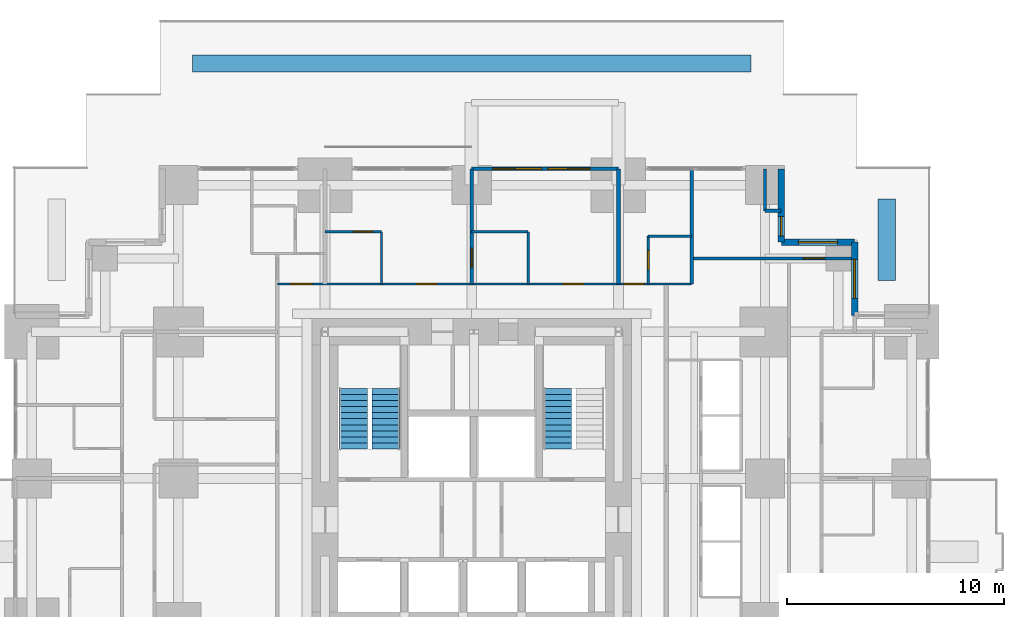
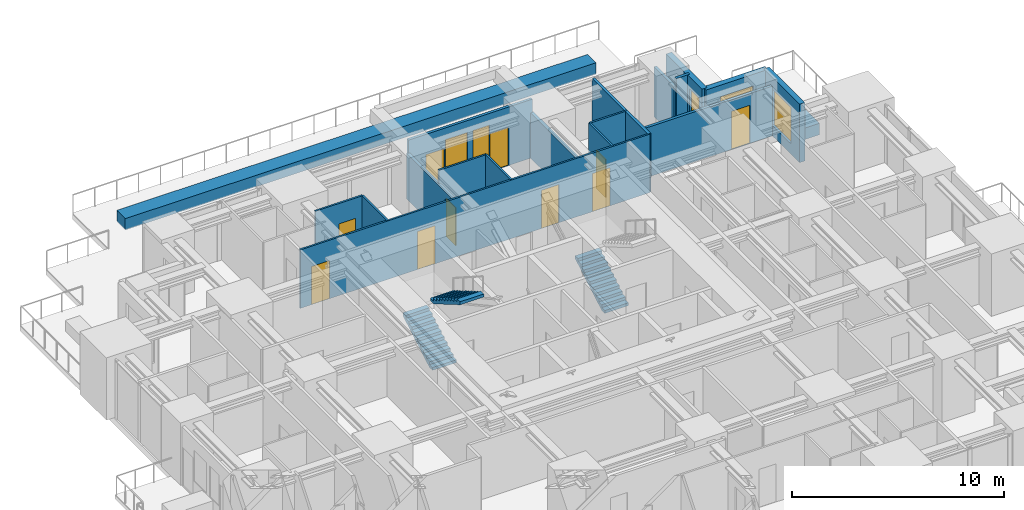
# One storey, part 10 of 12: 19 walls, 10 doors, 5 windows, 3 stair flights, 15 openings, 2 elements without a shape of their own.
"""IFC4 building model written with IfcOpenShell, lengths in metres."""

import ifcopenshell
import ifcopenshell.guid

model = None  # the IFC model being written
_history = None  # IfcOwnerHistory: only IFC2X3 demands one
_inside = {}  # id of a spatial element -> (the spatial element, [elements in it])
_under = {}  # id of a project, library or spatial element -> (it, [spatial elements below it])
_declared = {}  # id of a project -> (the project, [libraries it declares])
_typed = {}  # id of a type object -> (the type object, [elements of that type])
_made_of = {}  # id of a material, layer set ... -> (it, [elements and type objects made of it])


def new_model(schema):
    """Start an empty IFC model of exactly this schema.

    Asked for "IFC4X3", IfcOpenShell would pick the latest addendum, in which some entities
    have other attributes; the version numbers below select the first issue.
    IFC2X3 requires an IfcOwnerHistory on every rooted entity: one is made here for all.
    """
    global model, _history
    if schema == "IFC4X3":
        model = ifcopenshell.file(schema_version=(4, 3, 0, 0))
    else:
        model = ifcopenshell.file(schema=schema)
    _inside.clear()
    _under.clear()
    _declared.clear()
    _typed.clear()
    _made_of.clear()
    _history = None
    if model.schema == "IFC2X3":
        org = make("IfcOrganization", Name="unknown")
        user = make(
            "IfcPersonAndOrganization",
            ThePerson=make("IfcPerson", FamilyName="unknown"),
            TheOrganization=org,
        )
        app = make(
            "IfcApplication",
            ApplicationDeveloper=org,
            Version="unknown",
            ApplicationFullName="unknown",
            ApplicationIdentifier="unknown",
        )
        _history = make(
            "IfcOwnerHistory",
            OwningUser=user,
            OwningApplication=app,
            ChangeAction="ADDED",
            CreationDate=0,
        )
    return model


def make(cls, **values):
    """One entity of the class cls with the attributes given. An attribute that is None is left unset."""
    return model.create_entity(
        cls, **{name: value for name, value in values.items() if value is not None}
    )


def rooted(cls, **values):
    """An entity with a GlobalId (a new one), such as an element, a storey or a relation."""
    return make(cls, GlobalId=ifcopenshell.guid.new(), OwnerHistory=_history, **values)


def si_unit(unit_type, name, prefix=None):
    """IfcSIUnit, for example si_unit("LENGTHUNIT", "METRE", prefix="MILLI")."""
    return make("IfcSIUnit", UnitType=unit_type, Prefix=prefix, Name=name)


def assignment(units):
    """IfcUnitAssignment: the units of a project."""
    return None if units is None else make("IfcUnitAssignment", Units=units)


def point(xyz):
    """IfcCartesianPoint."""
    return None if xyz is None else make("IfcCartesianPoint", Coordinates=xyz)


def direction(xyz):
    """IfcDirection."""
    return None if xyz is None else make("IfcDirection", DirectionRatios=xyz)


def frame(location, z_axis=None, x_axis=None):
    """IfcAxis2Placement3D, a coordinate frame: its origin and axes. An axis left out is left unset."""
    return make(
        "IfcAxis2Placement3D",
        Location=point(location),
        Axis=direction(z_axis),
        RefDirection=direction(x_axis),
    )


def frame_2d(location, x_axis=None):
    """IfcAxis2Placement2D, a coordinate frame in the plane: its origin and x axis."""
    return make(
        "IfcAxis2Placement2D", Location=point(location), RefDirection=direction(x_axis)
    )


def origin():
    """The frame at (0, 0, 0) with its axes left unset."""
    return frame((0.0, 0.0, 0.0))


def place(relative_to, where):
    """IfcLocalPlacement: puts the frame where relative to a parent placement (None: the world)."""
    return make(
        "IfcLocalPlacement", PlacementRelTo=relative_to, RelativePlacement=where
    )


def context(
    kind, dimensions, precision=None, world=None, true_north=None, identifier=None
):
    """IfcGeometricRepresentationContext, for example the 3D "Model" context."""
    return make(
        "IfcGeometricRepresentationContext",
        ContextIdentifier=identifier,
        ContextType=kind,
        CoordinateSpaceDimension=dimensions,
        Precision=precision,
        WorldCoordinateSystem=world,
        TrueNorth=true_north,
    )


def subcontext(parent, identifier, kind, view, scale=None):
    """IfcGeometricRepresentationSubContext, for example "Body" below "Model"."""
    return make(
        "IfcGeometricRepresentationSubContext",
        ContextIdentifier=identifier,
        ContextType=kind,
        ParentContext=parent,
        TargetScale=scale,
        TargetView=view,
    )


def project(units=None, contexts=None):
    """IfcProject with its units and contexts."""
    return rooted(
        "IfcProject",
        Name="project",
        RepresentationContexts=contexts,
        UnitsInContext=assignment(units),
    )


def spatial(cls, under=None, at=None, **own):
    """A site, building, storey or space (cls), placed at a placement, below another one or the project."""
    s = rooted(cls, ObjectPlacement=at, **own)
    if under is not None:
        _under.setdefault(under.id(), (under, []))[1].append(s)
    return s


def polyline(points):
    """IfcPolyline through the points."""
    return make("IfcPolyline", Points=[point(p) for p in points])


def profile(cls, at=None, kind="AREA", **sizes):
    """A parametric profile (cls). Its sizes go by their IFC names, for example OverallWidth=200.0."""
    return make(cls, ProfileType=kind, Position=at, **sizes)


def rectangle(**sizes):
    """IfcRectangleProfileDef."""
    return profile("IfcRectangleProfileDef", **sizes)


def outline(outer, holes=None, kind="AREA"):
    """IfcArbitraryClosedProfileDef: a profile drawn as a closed curve; with holes, ...WithVoids."""
    if holes is None:
        return make("IfcArbitraryClosedProfileDef", ProfileType=kind, OuterCurve=outer)
    return make(
        "IfcArbitraryProfileDefWithVoids",
        ProfileType=kind,
        OuterCurve=outer,
        InnerCurves=holes,
    )


def extrude(swept, where, along, depth):
    """IfcExtrudedAreaSolid: the profile swept, set in the frame where, extruded along a direction by depth."""
    return make(
        "IfcExtrudedAreaSolid",
        SweptArea=swept,
        Position=where,
        ExtrudedDirection=direction(along),
        Depth=depth,
    )


def shape(context_of_items, identifier, shape_type, items):
    """IfcShapeRepresentation: the items that make up one representation, for example the "Body"."""
    return make(
        "IfcShapeRepresentation",
        ContextOfItems=context_of_items,
        RepresentationIdentifier=identifier,
        RepresentationType=shape_type,
        Items=items,
    )


def material(Name=None, Category=None):
    """IfcMaterial."""
    return make("IfcMaterial", Name=Name, Category=Category)


def layer(
    of_material, thickness, ventilated=None, Name=None, Category=None, Priority=None
):
    """IfcMaterialLayer: one layer of a wall or slab, of a material (None: an air gap)."""
    return make(
        "IfcMaterialLayer",
        Material=of_material,
        LayerThickness=thickness,
        IsVentilated=ventilated,
        Name=Name,
        Category=Category,
        Priority=Priority,
    )


def layer_set(layers, Name=None):
    """IfcMaterialLayerSet."""
    return make("IfcMaterialLayerSet", MaterialLayers=layers, LayerSetName=Name)


def made_of(thing, what):
    """Note that an element or type object is made of a material, layer set ...; save() writes the relation."""
    if what is not None:
        _made_of.setdefault(what.id(), (what, []))[1].append(thing)
    return thing


def type_object(cls, material=None, **own):
    """A type object (cls), such as IfcWallType, which elements share."""
    return made_of(rooted(cls, **own), material)


def element(
    cls,
    number,
    at=None,
    inside=None,
    cuts=None,
    type_object=None,
    material=None,
    context=None,
    identifier="Body",
    shape_type=None,
    held_by="IfcProductDefinitionShape",
    body=None,
    shapes=None,
    **own,
):
    """One element of the class cls, such as IfcWall. Its Tag is "e" and its number.

    at: its placement. inside: the storey or other place that contains it. cuts: it is an
    opening in that element (IfcRelVoidsElement). A single representation is given by context,
    identifier, shape_type and body (its items); several are given by shapes. held_by: the class
    of the entity that holds the representations. save() writes the other relations.
    """
    e = rooted(cls, Tag="e%d" % number, ObjectPlacement=at, **own)
    if body is not None:
        shapes = [shape(context, identifier, shape_type, body)]
    if shapes is not None:
        e.Representation = make(held_by, Representations=shapes)
    if inside is not None:
        _inside.setdefault(inside.id(), (inside, []))[1].append(e)
    if cuts is not None:
        rooted(
            "IfcRelVoidsElement", RelatingBuildingElement=cuts, RelatedOpeningElement=e
        )
    if type_object is not None:
        _typed.setdefault(type_object.id(), (type_object, []))[1].append(e)
    return made_of(e, material)


def fill(opening, filler):
    """IfcRelFillsElement: the door or window that sits in an opening."""
    return rooted(
        "IfcRelFillsElement",
        RelatingOpeningElement=opening,
        RelatedBuildingElement=filler,
    )


def aggregate(whole, parts):
    """IfcRelAggregates: a whole, such as a stair, and the parts it consists of."""
    return rooted("IfcRelAggregates", RelatingObject=whole, RelatedObjects=parts)


def save(model, path):
    """Write the relations noted so far, then the file.

    IfcRelAggregates (storeys below a building ...), IfcRelContainedInSpatialStructure (elements
    in a storey), IfcRelDefinesByType, IfcRelAssociatesMaterial and IfcRelDeclares: one each for
    every whole, place, type object, material and project.
    """
    for whole, parts in _under.values():
        aggregate(whole, parts)
    for where, things in _inside.values():
        rooted(
            "IfcRelContainedInSpatialStructure",
            RelatedElements=things,
            RelatingStructure=where,
        )
    for kind, things in _typed.values():
        rooted("IfcRelDefinesByType", RelatedObjects=things, RelatingType=kind)
    for what, things in _made_of.values():
        rooted("IfcRelAssociatesMaterial", RelatedObjects=things, RelatingMaterial=what)
    for by, libraries in _declared.values():
        rooted("IfcRelDeclares", RelatingContext=by, RelatedDefinitions=libraries)
    model.write(path)


model = new_model("IFC4")

# Units and contexts
model_context = context("Model", 3, precision=1e-05, world=origin(), true_north=direction((0.0, 1.0)))
body_context = subcontext(model_context, "Body", "Model", "MODEL_VIEW")
ifc_project = project(units=[si_unit("LENGTHUNIT", "METRE"), si_unit("AREAUNIT", "SQUARE_METRE"), si_unit("VOLUMEUNIT", "CUBIC_METRE"), si_unit("PLANEANGLEUNIT", "RADIAN"), si_unit("MASSUNIT", "GRAM", prefix="KILO")], contexts=[model_context])

# Site, building, storey
site_placement = place(None, origin())
site = spatial("IfcSite", under=ifc_project, at=site_placement, CompositionType="ELEMENT")
building_placement = place(site_placement, origin())
building = spatial("IfcBuilding", under=site, at=building_placement, Name="Nyansa Garden Tower", CompositionType="ELEMENT")
storey_placement = place(building_placement, frame((0.0, 0.0, 80.10009765625)))
storey = spatial("IfcBuildingStorey", under=building, at=storey_placement, Name="L21", CompositionType="ELEMENT", Elevation=80.10009765625)

# Wall, opening, door
ifc_material_1 = material(Name="Dense blockwork, plastered both sides, 55 dB", Category="masonry")
ifc_layer_1 = layer(ifc_material_1, 0.175048828125)
ifc_layer_set_1 = layer_set([ifc_layer_1], Name="Acoustic party wall PW175")
wall_type_1 = type_object("IfcWallType", Name="Acoustic party wall PW175", PredefinedType="PARTITIONING", material=ifc_layer_set_1)
wall_1_placement = place(storey_placement, frame((20.25, 29.199951171875, 0.0), z_axis=(0.0, 0.0, 1.0), x_axis=(0.0, 1.0, 0.0)))
wall_1 = element("IfcWall", 1, at=wall_1_placement, inside=storey, type_object=wall_type_1, Name="Party wall", PredefinedType="PARTITIONING", context=body_context, shape_type="SweptSolid", body=[
    extrude(rectangle(XDim=5.283935546875, YDim=0.175048828125, at=frame_2d((2.64208984375, 0.0))), origin(), (0.0, 0.0, 1.0), 2.60986328125),
])
opening_1_placement = place(wall_1_placement, frame((0.75, 0.0, 0.0)))
opening_1 = element("IfcOpeningElement", 2, at=opening_1_placement, cuts=wall_1, Name="Opening D02", PredefinedType="OPENING", context=body_context, shape_type="SweptSolid", body=[
    extrude(rectangle(XDim=0.89990234375, YDim=2.199951171875, at=frame_2d((0.449951171875, 1.10009765625))), frame((0.0, 0.097412109375, 0.0), z_axis=(0.0, -1.0, 0.0), x_axis=(1.0, 0.0, 0.0)), (0.0, 0.0, 1.0), 0.195068359375),
])
ifc_material_2 = material(Name="Timber flush door", Category="wood")
door_type_1 = type_object("IfcDoorType", Name="En-suite door D02 900x2200", OperationType="SINGLE_SWING_RIGHT", PredefinedType="DOOR", material=ifc_material_2)
door_1_placement = place(opening_1_placement, origin())
door_1 = element("IfcDoor", 3, at=door_1_placement, inside=storey, type_object=door_type_1, Name="Door L21-042", OperationType="SINGLE_SWING_RIGHT", OverallHeight=2.199951171875, OverallWidth=0.89990234375, PredefinedType="DOOR", context=body_context, shape_type="SweptSolid", body=[
    extrude(rectangle(XDim=0.89990234375, YDim=2.199951171875, at=frame_2d((0.449951171875, 1.10009765625))), frame((0.0, 0.02490234375, 0.0), z_axis=(0.0, -1.0, 0.0), x_axis=(1.0, 0.0, 0.0)), (0.0, 0.0, 1.0), 0.050048828125),
])
fill(opening_1, door_1)

# Wall
wall_2_placement = place(storey_placement, frame((27.0, 29.199951171875, 0.0), z_axis=(0.0, 0.0, 1.0), x_axis=(0.0, 1.0, 0.0)))
element("IfcWall", 4, at=wall_2_placement, inside=storey, type_object=wall_type_1, Name="Party wall", PredefinedType="PARTITIONING", context=body_context, shape_type="SweptSolid", body=[
    extrude(rectangle(XDim=5.283935546875, YDim=0.175048828125, at=frame_2d((2.64208984375, 0.0))), origin(), (0.0, 0.0, 1.0), 2.60986328125),
])

# Wall, openings, doors, windows
ifc_material_3 = material(Name="Black aluminium framed glazed screen", Category="aluminium")
ifc_layer_2 = layer(ifc_material_3, 0.14990234375)
ifc_layer_set_2 = layer_set([ifc_layer_2], Name="Balcony screen wall BW150")
wall_type_2 = type_object("IfcWallType", Name="Balcony screen wall BW150", PredefinedType="SOLIDWALL", material=ifc_layer_set_2)
wall_3_placement = place(storey_placement, frame((20.25, 34.5, 0.0), z_axis=(0.0, 0.0, 1.0), x_axis=(1.0, 0.0, 0.0)))
wall_3 = element("IfcWall", 5, at=wall_3_placement, inside=storey, type_object=wall_type_2, Name="Glazed screen wall L21 N", PredefinedType="SOLIDWALL", context=body_context, shape_type="SweptSolid", body=[
    extrude(rectangle(XDim=6.75, YDim=0.14990234375, at=frame_2d((3.375, 0.0))), origin(), (0.0, 0.0, 1.0), 3.375),
])
opening_2_placement = place(wall_3_placement, frame((0.96240234375, 0.0, 0.0)))
opening_2 = element("IfcOpeningElement", 6, at=opening_2_placement, cuts=wall_3, Name="Opening D20", PredefinedType="OPENING", context=body_context, shape_type="SweptSolid", body=[
    extrude(rectangle(XDim=1.0, YDim=2.199951171875, at=frame_2d((0.5, 1.10009765625))), frame((0.0, 0.0849609375, 0.0), z_axis=(0.0, -1.0, 0.0), x_axis=(1.0, 0.0, 0.0)), (0.0, 0.0, 1.0), 0.169921875),
])
opening_3_placement = place(wall_3_placement, frame((2.02490234375, 0.0, 0.89990234375)))
opening_3 = element("IfcOpeningElement", 7, at=opening_3_placement, cuts=wall_3, Name="Opening W6", PredefinedType="OPENING", context=body_context, shape_type="SweptSolid", body=[
    extrude(rectangle(XDim=1.199951171875, YDim=1.800048828125, at=frame_2d((0.60009765625, 0.89990234375))), frame((0.0, 0.0849609375, 0.0), z_axis=(0.0, -1.0, 0.0), x_axis=(1.0, 0.0, 0.0)), (0.0, 0.0, 1.0), 0.169921875),
])
opening_4_placement = place(wall_3_placement, frame((4.4541015625, 0.0, 0.0)))
opening_4 = element("IfcOpeningElement", 8, at=opening_4_placement, cuts=wall_3, Name="Opening D20", PredefinedType="OPENING", context=body_context, shape_type="SweptSolid", body=[
    extrude(rectangle(XDim=1.0, YDim=2.199951171875, at=frame_2d((0.5, 1.10009765625))), frame((0.0, 0.0849609375, 0.0), z_axis=(0.0, -1.0, 0.0), x_axis=(1.0, 0.0, 0.0)), (0.0, 0.0, 1.0), 0.169921875),
])
opening_5_placement = place(wall_3_placement, frame((3.50830078125, 0.0, 0.89990234375)))
opening_5 = element("IfcOpeningElement", 9, at=opening_5_placement, cuts=wall_3, Name="Opening W7", PredefinedType="OPENING", context=body_context, shape_type="SweptSolid", body=[
    extrude(rectangle(XDim=0.89990234375, YDim=1.800048828125, at=frame_2d((0.449951171875, 0.89990234375))), frame((0.0, 0.0849609375, 0.0), z_axis=(0.0, -1.0, 0.0), x_axis=(1.0, 0.0, 0.0)), (0.0, 0.0, 1.0), 0.169921875),
])
ifc_material_4 = material(Name="Black aluminium framed glazed door", Category="aluminium")
door_type_2 = type_object("IfcDoorType", Name="Balcony door D20 1000x2200", OperationType="NOTDEFINED", PredefinedType="DOOR", material=ifc_material_4)
door_2_placement = place(opening_2_placement, origin())
door_2 = element("IfcDoor", 10, at=door_2_placement, inside=storey, type_object=door_type_2, Name="Terrace door L21", OperationType="SINGLE_SWING_LEFT", OverallHeight=2.199951171875, OverallWidth=1.0, PredefinedType="DOOR", context=body_context, shape_type="SweptSolid", body=[
    extrude(rectangle(XDim=1.0, YDim=2.199951171875, at=frame_2d((0.5, 1.10009765625))), frame((0.0, 0.02490234375, 0.0), z_axis=(0.0, -1.0, 0.0), x_axis=(1.0, 0.0, 0.0)), (0.0, 0.0, 1.0), 0.050048828125),
])
fill(opening_2, door_2)
door_3_placement = place(opening_4_placement, origin())
door_3 = element("IfcDoor", 11, at=door_3_placement, inside=storey, type_object=door_type_2, Name="Terrace door L21", OperationType="SINGLE_SWING_RIGHT", OverallHeight=2.199951171875, OverallWidth=1.0, PredefinedType="DOOR", context=body_context, shape_type="SweptSolid", body=[
    extrude(rectangle(XDim=1.0, YDim=2.199951171875, at=frame_2d((0.5, 1.10009765625))), frame((0.0, 0.02490234375, 0.0), z_axis=(0.0, -1.0, 0.0), x_axis=(1.0, 0.0, 0.0)), (0.0, 0.0, 1.0), 0.050048828125),
])
fill(opening_4, door_3)
ifc_material_5 = material(Name="Black aluminium frame, dark tinted double glazing", Category="aluminium")
window_type_1 = type_object("IfcWindowType", Name="Balcony window W6 1200x1800", PartitioningType="SINGLE_PANEL", PredefinedType="WINDOW", material=ifc_material_5)
window_1_placement = place(opening_3_placement, origin())
window_1 = element("IfcWindow", 12, at=window_1_placement, inside=storey, type_object=window_type_1, Name="Window L21", OverallHeight=1.800048828125, OverallWidth=1.199951171875, PartitioningType="SINGLE_PANEL", PredefinedType="WINDOW", context=body_context, shape_type="SweptSolid", body=[
    extrude(rectangle(XDim=1.199951171875, YDim=1.800048828125, at=frame_2d((0.60009765625, 0.89990234375))), frame((0.0, 0.030029296875, 0.0), z_axis=(0.0, -1.0, 0.0), x_axis=(1.0, 0.0, 0.0)), (0.0, 0.0, 1.0), 0.06005859375),
])
fill(opening_3, window_1)
ifc_material_6 = material(Name="Black aluminium frame, dark tinted double glazing", Category="aluminium")
window_type_2 = type_object("IfcWindowType", Name="Balcony window W7 900x1800", PartitioningType="SINGLE_PANEL", PredefinedType="WINDOW", material=ifc_material_6)
window_2_placement = place(opening_5_placement, origin())
window_2 = element("IfcWindow", 13, at=window_2_placement, inside=storey, type_object=window_type_2, Name="Window L21", OverallHeight=1.800048828125, OverallWidth=0.89990234375, PartitioningType="SINGLE_PANEL", PredefinedType="WINDOW", context=body_context, shape_type="SweptSolid", body=[
    extrude(rectangle(XDim=0.89990234375, YDim=1.800048828125, at=frame_2d((0.449951171875, 0.89990234375))), frame((0.0, 0.030029296875, 0.0), z_axis=(0.0, -1.0, 0.0), x_axis=(1.0, 0.0, 0.0)), (0.0, 0.0, 1.0), 0.06005859375),
])
fill(opening_5, window_2)

# Wall
ifc_material_7 = material(Name="Blockwork, plastered both sides", Category="masonry")
ifc_layer_3 = layer(ifc_material_7, 0.14990234375)
ifc_layer_set_3 = layer_set([ifc_layer_3], Name="Partition PW150")
wall_type_3 = type_object("IfcWallType", Name="Partition PW150", PredefinedType="PARTITIONING", material=ifc_layer_set_3)
wall_4_placement = place(storey_placement, frame((30.375, 29.199951171875, 0.0), z_axis=(0.0, 0.0, 1.0), x_axis=(0.0, 1.0, 0.0)))
element("IfcWall", 14, at=wall_4_placement, inside=storey, type_object=wall_type_3, Name="Partition", PredefinedType="PARTITIONING", context=body_context, shape_type="SweptSolid", body=[
    extrude(rectangle(XDim=5.283935546875, YDim=0.14990234375, at=frame_2d((2.64208984375, 0.0))), origin(), (0.0, 0.0, 1.0), 3.375),
])

# Wall, opening, door
wall_5_placement = place(storey_placement, frame((30.375, 30.375, 0.0), z_axis=(0.0, 0.0, 1.0), x_axis=(1.0, 0.0, 0.0)))
wall_5 = element("IfcWall", 15, at=wall_5_placement, inside=storey, type_object=wall_type_3, Name="Partition", PredefinedType="PARTITIONING", context=body_context, shape_type="SweptSolid", body=[
    extrude(rectangle(XDim=7.35009765625, YDim=0.14990234375, at=frame_2d((3.675048828125, 0.0))), origin(), (0.0, 0.0, 1.0), 2.876953125),
])
opening_6_placement = place(wall_5_placement, frame((5.125, 0.0, 0.0)))
opening_6 = element("IfcOpeningElement", 16, at=opening_6_placement, cuts=wall_5, Name="Opening D03", PredefinedType="OPENING", context=body_context, shape_type="SweptSolid", body=[
    extrude(rectangle(XDim=1.0, YDim=2.199951171875, at=frame_2d((0.5, 1.10009765625))), frame((0.0, 0.0849609375, 0.0), z_axis=(0.0, -1.0, 0.0), x_axis=(1.0, 0.0, 0.0)), (0.0, 0.0, 1.0), 0.169921875),
])
ifc_material_8 = material(Name="Timber flush door, 60 minute fire resisting", Category="wood")
door_type_3 = type_object("IfcDoorType", Name="Cluster entrance door D03 1000x2200", OperationType="SINGLE_SWING_LEFT", PredefinedType="DOOR", material=ifc_material_8)
door_4_placement = place(opening_6_placement, origin())
door_4 = element("IfcDoor", 17, at=door_4_placement, inside=storey, type_object=door_type_3, Name="Door L21-038", OperationType="SINGLE_SWING_LEFT", OverallHeight=2.199951171875, OverallWidth=1.0, PredefinedType="DOOR", context=body_context, shape_type="SweptSolid", body=[
    extrude(rectangle(XDim=1.0, YDim=2.199951171875, at=frame_2d((0.5, 1.10009765625))), frame((0.0, 0.02490234375, 0.0), z_axis=(0.0, -1.0, 0.0), x_axis=(1.0, 0.0, 0.0)), (0.0, 0.0, 1.0), 0.050048828125),
])
fill(opening_6, door_4)

# Walls
wall_6_placement = place(storey_placement, frame((33.75, 32.570068359375, 0.0), z_axis=(0.0, 0.0, 1.0), x_axis=(0.0, 1.0, 0.0)))
element("IfcWall", 18, at=wall_6_placement, inside=storey, type_object=wall_type_3, Name="Partition", PredefinedType="PARTITIONING", context=body_context, shape_type="SweptSolid", body=[
    extrude(rectangle(XDim=1.913818359375, YDim=0.14990234375, at=frame_2d((0.95703125, 0.0))), origin(), (0.0, 0.0, 1.0), 2.876953125),
])
wall_7_placement = place(storey_placement, frame((33.75, 32.570068359375, 0.0), z_axis=(0.0, 0.0, 1.0), x_axis=(1.0, 0.0, 0.0)))
element("IfcWall", 19, at=wall_7_placement, inside=storey, type_object=wall_type_3, Name="Partition", PredefinedType="PARTITIONING", context=body_context, shape_type="SweptSolid", body=[
    extrude(rectangle(XDim=0.73388671875, YDim=0.14990234375, at=frame_2d((0.366943359375, 0.0))), origin(), (0.0, 0.0, 1.0), 3.375),
])
ifc_material_9 = material(Name="Concrete C40/50 planter, waterproofed", Category="concrete")
ifc_layer_4 = layer(ifc_material_9, 0.800048828125)
ifc_layer_set_4 = layer_set([ifc_layer_4], Name="Terrace planter TP2")
wall_type_4 = type_object("IfcWallType", Name="Terrace planter TP2", PredefinedType="USERDEFINED", material=ifc_layer_set_4)
wall_8_placement = place(storey_placement, frame((39.35009765625, 33.10009765625, -0.06005859375), z_axis=(0.0, 0.0, 1.0), x_axis=(0.0, -1.0, 0.0)))
element("IfcWall", 20, at=wall_8_placement, inside=storey, type_object=wall_type_4, Name="Terrace planter L21", ObjectType="TERRACE PLANTER", PredefinedType="USERDEFINED", context=body_context, shape_type="SweptSolid", body=[
    extrude(rectangle(XDim=3.75, YDim=0.800048828125, at=frame_2d((1.875, 0.0))), origin(), (0.0, 0.0, 1.0), 0.659912109375),
])
wall_9_placement = place(storey_placement, frame((7.39990234375, 39.35009765625, -0.06005859375), z_axis=(0.0, 0.0, 1.0), x_axis=(1.0, 0.0, 0.0)))
element("IfcWall", 21, at=wall_9_placement, inside=storey, type_object=wall_type_4, Name="Terrace planter L21", ObjectType="TERRACE PLANTER", PredefinedType="USERDEFINED", context=body_context, shape_type="SweptSolid", body=[
    extrude(rectangle(XDim=25.7001953125, YDim=0.800048828125, at=frame_2d((12.85009765625, 0.0))), origin(), (0.0, 0.0, 1.0), 0.659912109375),
])

# Wall, opening, window
ifc_material_10 = material(Name="Turquoise glazed tile on concrete blockwork", Category="masonry")
ifc_layer_5 = layer(ifc_material_10, 0.300048828125)
ifc_layer_set_5 = layer_set([ifc_layer_5], Name="Tiled corner wall TW300")
wall_type_5 = type_object("IfcWallType", Name="Tiled corner wall TW300", PredefinedType="SOLIDWALL", material=ifc_layer_set_5)
wall_10_placement = place(storey_placement, frame((37.875, 27.75, 0.0), z_axis=(0.0, 0.0, 1.0), x_axis=(0.0, 1.0, 0.0)))
wall_10 = element("IfcWall", 22, at=wall_10_placement, inside=storey, type_object=wall_type_5, Name="Tiled corner wall L21", PredefinedType="SOLIDWALL", context=body_context, shape_type="SweptSolid", body=[
    extrude(rectangle(XDim=3.375, YDim=0.300048828125, at=frame_2d((1.6875, 0.0))), origin(), (0.0, 0.0, 1.0), 3.375),
])
opening_7_placement = place(wall_10_placement, frame((0.78759765625, 0.0, 0.60009765625)))
opening_7 = element("IfcOpeningElement", 23, at=opening_7_placement, cuts=wall_10, Name="Opening W2", PredefinedType="OPENING", context=body_context, shape_type="SweptSolid", body=[
    extrude(rectangle(XDim=1.800048828125, YDim=2.10009765625, at=frame_2d((0.89990234375, 1.050048828125))), frame((0.0, 0.159912109375, 0.0), z_axis=(0.0, -1.0, 0.0), x_axis=(1.0, 0.0, 0.0)), (0.0, 0.0, 1.0), 0.320068359375),
])
ifc_material_11 = material(Name="Black aluminium frame, dark tinted double glazing", Category="aluminium")
window_type_3 = type_object("IfcWindowType", Name="Window W2 1800x2100", PartitioningType="SINGLE_PANEL", PredefinedType="WINDOW", material=ifc_material_11)
window_3_placement = place(opening_7_placement, origin())
window_3 = element("IfcWindow", 24, at=window_3_placement, inside=storey, type_object=window_type_3, Name="Corner window L21", OverallHeight=2.10009765625, OverallWidth=1.800048828125, PartitioningType="SINGLE_PANEL", PredefinedType="WINDOW", context=body_context, shape_type="SweptSolid", body=[
    extrude(rectangle(XDim=1.800048828125, YDim=2.10009765625, at=frame_2d((0.89990234375, 1.050048828125))), frame((0.0, 0.030029296875, 0.0), z_axis=(0.0, -1.0, 0.0), x_axis=(1.0, 0.0, 0.0)), (0.0, 0.0, 1.0), 0.06005859375),
])
fill(opening_7, window_3)

wall_11_placement = place(storey_placement, frame((37.875, 31.125, 0.0), z_axis=(0.0, 0.0, 1.0), x_axis=(-1.0, 0.0, 0.0)))
wall_11 = element("IfcWall", 25, at=wall_11_placement, inside=storey, type_object=wall_type_5, Name="Tiled corner wall L21", PredefinedType="SOLIDWALL", context=body_context, shape_type="SweptSolid", body=[
    extrude(rectangle(XDim=3.375, YDim=0.300048828125, at=frame_2d((1.6875, 0.0))), origin(), (0.0, 0.0, 1.0), 3.375),
])
opening_8_placement = place(wall_11_placement, frame((0.78759765625, 0.0, 0.60009765625)))
opening_8 = element("IfcOpeningElement", 26, at=opening_8_placement, cuts=wall_11, Name="Opening W2", PredefinedType="OPENING", context=body_context, shape_type="SweptSolid", body=[
    extrude(rectangle(XDim=1.800048828125, YDim=2.10009765625, at=frame_2d((0.89990234375, 1.050048828125))), frame((0.0, 0.159912109375, 0.0), z_axis=(0.0, -1.0, 0.0), x_axis=(1.0, 0.0, 0.0)), (0.0, 0.0, 1.0), 0.320068359375),
])
window_4_placement = place(opening_8_placement, origin())
window_4 = element("IfcWindow", 27, at=window_4_placement, inside=storey, type_object=window_type_3, Name="Corner window L21", OverallHeight=2.10009765625, OverallWidth=1.800048828125, PartitioningType="SINGLE_PANEL", PredefinedType="WINDOW", context=body_context, shape_type="SweptSolid", body=[
    extrude(rectangle(XDim=1.800048828125, YDim=2.10009765625, at=frame_2d((0.89990234375, 1.050048828125))), frame((0.0, 0.030029296875, 0.0), z_axis=(0.0, -1.0, 0.0), x_axis=(1.0, 0.0, 0.0)), (0.0, 0.0, 1.0), 0.06005859375),
])
fill(opening_8, window_4)

wall_12_placement = place(storey_placement, frame((34.5, 31.125, 0.0), z_axis=(0.0, 0.0, 1.0), x_axis=(0.0, 1.0, 0.0)))
wall_12 = element("IfcWall", 28, at=wall_12_placement, inside=storey, type_object=wall_type_5, Name="Tiled corner wall L21", PredefinedType="SOLIDWALL", context=body_context, shape_type="SweptSolid", body=[
    extrude(rectangle(XDim=3.375, YDim=0.300048828125, at=frame_2d((1.6875, 0.0))), origin(), (0.0, 0.0, 1.0), 3.375),
])
opening_9_placement = place(wall_12_placement, frame((0.2724609375, 0.0, 0.89990234375)))
opening_9 = element("IfcOpeningElement", 29, at=opening_9_placement, cuts=wall_12, Name="Opening W7", PredefinedType="OPENING", context=body_context, shape_type="SweptSolid", body=[
    extrude(rectangle(XDim=0.89990234375, YDim=1.800048828125, at=frame_2d((0.449951171875, 0.89990234375))), frame((0.0, 0.159912109375, 0.0), z_axis=(0.0, -1.0, 0.0), x_axis=(1.0, 0.0, 0.0)), (0.0, 0.0, 1.0), 0.320068359375),
])
window_5_placement = place(opening_9_placement, origin())
window_5 = element("IfcWindow", 30, at=window_5_placement, inside=storey, type_object=window_type_2, Name="Corner window L21", OverallHeight=1.800048828125, OverallWidth=0.89990234375, PartitioningType="SINGLE_PANEL", PredefinedType="WINDOW", context=body_context, shape_type="SweptSolid", body=[
    extrude(rectangle(XDim=0.89990234375, YDim=1.800048828125, at=frame_2d((0.449951171875, 0.89990234375))), frame((0.0, 0.030029296875, 0.0), z_axis=(0.0, -1.0, 0.0), x_axis=(1.0, 0.0, 0.0)), (0.0, 0.0, 1.0), 0.06005859375),
])
fill(opening_9, window_5)

# Wall, openings, doors
ifc_material_12 = material(Name="Moisture resistant board on steel studs, tiled", Category="steel")
ifc_layer_6 = layer(ifc_material_12, 0.10009765625)
ifc_layer_set_6 = layer_set([ifc_layer_6], Name="Wet wall PW100")
wall_type_6 = type_object("IfcWallType", Name="Wet wall PW100", PredefinedType="PARTITIONING", material=ifc_layer_set_6)
wall_13_placement = place(storey_placement, frame((11.300048828125, 29.199951171875, 0.0), z_axis=(0.0, 0.0, 1.0), x_axis=(1.0, 0.0, 0.0)))
wall_13 = element("IfcWall", 31, at=wall_13_placement, inside=storey, type_object=wall_type_6, Name="Wet wall", PredefinedType="PARTITIONING", context=body_context, shape_type="SweptSolid", body=[
    extrude(rectangle(XDim=19.074951171875, YDim=0.10009765625, at=frame_2d((9.53759765625, 0.0))), origin(), (0.0, 0.0, 1.0), 3.375),
])
opening_10_placement = place(wall_13_placement, frame((6.39990234375, 0.0, 0.0)))
opening_10 = element("IfcOpeningElement", 32, at=opening_10_placement, cuts=wall_13, Name="Opening D14", PredefinedType="OPENING", context=body_context, shape_type="SweptSolid", body=[
    extrude(rectangle(XDim=0.949951171875, YDim=2.199951171875, at=frame_2d((0.47509765625, 1.10009765625))), frame((0.0, 0.06005859375, 0.0), z_axis=(0.0, -1.0, 0.0), x_axis=(1.0, 0.0, 0.0)), (0.0, 0.0, 1.0), 0.1201171875),
])
opening_11_placement = place(wall_13_placement, frame((13.14990234375, 0.0, 0.0)))
opening_11 = element("IfcOpeningElement", 33, at=opening_11_placement, cuts=wall_13, Name="Opening D14", PredefinedType="OPENING", context=body_context, shape_type="SweptSolid", body=[
    extrude(rectangle(XDim=0.949951171875, YDim=2.199951171875, at=frame_2d((0.47509765625, 1.10009765625))), frame((0.0, 0.06005859375, 0.0), z_axis=(0.0, -1.0, 0.0), x_axis=(1.0, 0.0, 0.0)), (0.0, 0.0, 1.0), 0.1201171875),
])
opening_12_placement = place(wall_13_placement, frame((15.949951171875, 0.0, 0.0)))
opening_12 = element("IfcOpeningElement", 34, at=opening_12_placement, cuts=wall_13, Name="Opening D14", PredefinedType="OPENING", context=body_context, shape_type="SweptSolid", body=[
    extrude(rectangle(XDim=0.949951171875, YDim=2.199951171875, at=frame_2d((0.47509765625, 1.10009765625))), frame((0.0, 0.06005859375, 0.0), z_axis=(0.0, -1.0, 0.0), x_axis=(1.0, 0.0, 0.0)), (0.0, 0.0, 1.0), 0.1201171875),
])
opening_13_placement = place(wall_13_placement, frame((0.60009765625, 0.0, 0.0)))
opening_13 = element("IfcOpeningElement", 35, at=opening_13_placement, cuts=wall_13, Name="Opening D03", PredefinedType="OPENING", context=body_context, shape_type="SweptSolid", body=[
    extrude(rectangle(XDim=1.0, YDim=2.199951171875, at=frame_2d((0.5, 1.10009765625))), frame((0.0, 0.06005859375, 0.0), z_axis=(0.0, -1.0, 0.0), x_axis=(1.0, 0.0, 0.0)), (0.0, 0.0, 1.0), 0.1201171875),
])
door_5_placement = place(opening_13_placement, origin())
door_5 = element("IfcDoor", 36, at=door_5_placement, inside=storey, type_object=door_type_3, Name="Door L21-047", OperationType="SINGLE_SWING_LEFT", OverallHeight=2.199951171875, OverallWidth=1.0, PredefinedType="DOOR", context=body_context, shape_type="SweptSolid", body=[
    extrude(rectangle(XDim=1.0, YDim=2.199951171875, at=frame_2d((0.5, 1.10009765625))), frame((0.0, 0.02490234375, 0.0), z_axis=(0.0, -1.0, 0.0), x_axis=(1.0, 0.0, 0.0)), (0.0, 0.0, 1.0), 0.050048828125),
])
fill(opening_13, door_5)
ifc_material_13 = material(Name="Timber flush door, 60 minute fire resisting, self-closing", Category="wood")
door_type_4 = type_object("IfcDoorType", Name="Studio entrance door D14 950x2200", OperationType="SINGLE_SWING_LEFT", PredefinedType="DOOR", material=ifc_material_13)
door_6_placement = place(opening_10_placement, origin())
door_6 = element("IfcDoor", 37, at=door_6_placement, inside=storey, type_object=door_type_4, Name="Door L21-039", OperationType="SINGLE_SWING_LEFT", OverallHeight=2.199951171875, OverallWidth=0.949951171875, PredefinedType="DOOR", context=body_context, shape_type="SweptSolid", body=[
    extrude(rectangle(XDim=0.949951171875, YDim=2.199951171875, at=frame_2d((0.47509765625, 1.10009765625))), frame((0.0, 0.02490234375, 0.0), z_axis=(0.0, -1.0, 0.0), x_axis=(1.0, 0.0, 0.0)), (0.0, 0.0, 1.0), 0.050048828125),
])
fill(opening_10, door_6)
door_7_placement = place(opening_11_placement, origin())
door_7 = element("IfcDoor", 38, at=door_7_placement, inside=storey, type_object=door_type_4, Name="Door L21-041", OperationType="SINGLE_SWING_LEFT", OverallHeight=2.199951171875, OverallWidth=0.949951171875, PredefinedType="DOOR", context=body_context, shape_type="SweptSolid", body=[
    extrude(rectangle(XDim=0.949951171875, YDim=2.199951171875, at=frame_2d((0.47509765625, 1.10009765625))), frame((0.0, 0.02490234375, 0.0), z_axis=(0.0, -1.0, 0.0), x_axis=(1.0, 0.0, 0.0)), (0.0, 0.0, 1.0), 0.050048828125),
])
fill(opening_11, door_7)
door_8_placement = place(opening_12_placement, origin())
door_8 = element("IfcDoor", 39, at=door_8_placement, inside=storey, type_object=door_type_4, Name="Door L21-045", OperationType="SINGLE_SWING_LEFT", OverallHeight=2.199951171875, OverallWidth=0.949951171875, PredefinedType="DOOR", context=body_context, shape_type="SweptSolid", body=[
    extrude(rectangle(XDim=0.949951171875, YDim=2.199951171875, at=frame_2d((0.47509765625, 1.10009765625))), frame((0.0, 0.02490234375, 0.0), z_axis=(0.0, -1.0, 0.0), x_axis=(1.0, 0.0, 0.0)), (0.0, 0.0, 1.0), 0.050048828125),
])
fill(opening_12, door_8)

# Wall, opening, door
wall_14_placement = place(storey_placement, frame((13.5, 31.60009765625, 0.0), z_axis=(0.0, 0.0, 1.0), x_axis=(1.0, 0.0, 0.0)))
wall_14 = element("IfcWall", 40, at=wall_14_placement, inside=storey, type_object=wall_type_6, Name="Wet wall", PredefinedType="PARTITIONING", context=body_context, shape_type="SweptSolid", body=[
    extrude(rectangle(XDim=2.60009765625, YDim=0.10009765625, at=frame_2d((1.300048828125, 0.0))), origin(), (0.0, 0.0, 1.0), 3.375),
])
opening_14_placement = place(wall_14_placement, frame((1.300048828125, 0.0, 0.0)))
opening_14 = element("IfcOpeningElement", 41, at=opening_14_placement, cuts=wall_14, Name="Opening D02", PredefinedType="OPENING", context=body_context, shape_type="SweptSolid", body=[
    extrude(rectangle(XDim=0.89990234375, YDim=2.199951171875, at=frame_2d((0.449951171875, 1.10009765625))), frame((0.0, 0.06005859375, 0.0), z_axis=(0.0, -1.0, 0.0), x_axis=(1.0, 0.0, 0.0)), (0.0, 0.0, 1.0), 0.1201171875),
])
door_9_placement = place(opening_14_placement, origin())
door_9 = element("IfcDoor", 42, at=door_9_placement, inside=storey, type_object=door_type_1, Name="Door L21-040", OperationType="SINGLE_SWING_RIGHT", OverallHeight=2.199951171875, OverallWidth=0.89990234375, PredefinedType="DOOR", context=body_context, shape_type="SweptSolid", body=[
    extrude(rectangle(XDim=0.89990234375, YDim=2.199951171875, at=frame_2d((0.449951171875, 1.10009765625))), frame((0.0, 0.02490234375, 0.0), z_axis=(0.0, -1.0, 0.0), x_axis=(1.0, 0.0, 0.0)), (0.0, 0.0, 1.0), 0.050048828125),
])
fill(opening_14, door_9)

# Walls
wall_15_placement = place(storey_placement, frame((16.10009765625, 29.199951171875, 0.0), z_axis=(0.0, 0.0, 1.0), x_axis=(0.0, 1.0, 0.0)))
element("IfcWall", 43, at=wall_15_placement, inside=storey, type_object=wall_type_6, Name="Wet wall", PredefinedType="PARTITIONING", context=body_context, shape_type="SweptSolid", body=[
    extrude(rectangle(XDim=2.400146484375, YDim=0.10009765625, at=frame_2d((1.2001953125, 0.0))), origin(), (0.0, 0.0, 1.0), 3.375),
])
wall_16_placement = place(storey_placement, frame((20.25, 31.60009765625, 0.0), z_axis=(0.0, 0.0, 1.0), x_axis=(1.0, 0.0, 0.0)))
element("IfcWall", 44, at=wall_16_placement, inside=storey, type_object=wall_type_6, Name="Wet wall", PredefinedType="PARTITIONING", context=body_context, shape_type="SweptSolid", body=[
    extrude(rectangle(XDim=2.60009765625, YDim=0.10009765625, at=frame_2d((1.300048828125, 0.0))), origin(), (0.0, 0.0, 1.0), 3.375),
])
wall_17_placement = place(storey_placement, frame((22.85009765625, 29.199951171875, 0.0), z_axis=(0.0, 0.0, 1.0), x_axis=(0.0, 1.0, 0.0)))
element("IfcWall", 45, at=wall_17_placement, inside=storey, type_object=wall_type_6, Name="Wet wall", PredefinedType="PARTITIONING", context=body_context, shape_type="SweptSolid", body=[
    extrude(rectangle(XDim=2.400146484375, YDim=0.10009765625, at=frame_2d((1.2001953125, 0.0))), origin(), (0.0, 0.0, 1.0), 3.375),
])

# Wall, opening, door
wall_18_placement = place(storey_placement, frame((28.375, 29.199951171875, 0.0), z_axis=(0.0, 0.0, 1.0), x_axis=(0.0, 1.0, 0.0)))
wall_18 = element("IfcWall", 46, at=wall_18_placement, inside=storey, type_object=wall_type_6, Name="Wet wall", PredefinedType="PARTITIONING", context=body_context, shape_type="SweptSolid", body=[
    extrude(rectangle(XDim=2.199951171875, YDim=0.10009765625, at=frame_2d((1.10009765625, 0.0))), origin(), (0.0, 0.0, 1.0), 3.375),
])
opening_15_placement = place(wall_18_placement, frame((0.64990234375, 0.0, 0.0)))
opening_15 = element("IfcOpeningElement", 47, at=opening_15_placement, cuts=wall_18, Name="Opening D02", PredefinedType="OPENING", context=body_context, shape_type="SweptSolid", body=[
    extrude(rectangle(XDim=0.89990234375, YDim=2.199951171875, at=frame_2d((0.449951171875, 1.10009765625))), frame((0.0, 0.06005859375, 0.0), z_axis=(0.0, -1.0, 0.0), x_axis=(1.0, 0.0, 0.0)), (0.0, 0.0, 1.0), 0.1201171875),
])
door_10_placement = place(opening_15_placement, origin())
door_10 = element("IfcDoor", 48, at=door_10_placement, inside=storey, type_object=door_type_1, Name="Door L21-046", OperationType="SINGLE_SWING_RIGHT", OverallHeight=2.199951171875, OverallWidth=0.89990234375, PredefinedType="DOOR", context=body_context, shape_type="SweptSolid", body=[
    extrude(rectangle(XDim=0.89990234375, YDim=2.199951171875, at=frame_2d((0.449951171875, 1.10009765625))), frame((0.0, 0.02490234375, 0.0), z_axis=(0.0, -1.0, 0.0), x_axis=(1.0, 0.0, 0.0)), (0.0, 0.0, 1.0), 0.050048828125),
])
fill(opening_15, door_10)

# Wall
wall_19_placement = place(storey_placement, frame((28.375, 31.39990234375, 0.0), z_axis=(0.0, 0.0, 1.0), x_axis=(1.0, 0.0, 0.0)))
element("IfcWall", 49, at=wall_19_placement, inside=storey, type_object=wall_type_6, Name="Wet wall", PredefinedType="PARTITIONING", context=body_context, shape_type="SweptSolid", body=[
    extrude(rectangle(XDim=2.0, YDim=0.10009765625, at=frame_2d((1.0, 0.0))), origin(), (0.0, 0.0, 1.0), 3.375),
])

# Stair, stair flights
ifc_material_14 = material(Name="Precast concrete C40/50", Category="concrete")
stair_type_1 = type_object("IfcStairType", Name="Stair S1 164x280", PredefinedType="HALF_TURN_STAIR", material=ifc_material_14)
stair_1_placement = place(storey_placement, origin())
stair_1 = element("IfcStair", 50, at=stair_1_placement, inside=storey, type_object=stair_type_1, Name="Stair S1 L21", PredefinedType="HALF_TURN_STAIR")
ifc_material_15 = material(Name="Precast concrete C40/50", Category="concrete")
stair_flight_type_1 = type_object("IfcStairFlightType", Name="Stair flight S1 164x280x11", PredefinedType="STRAIGHT", material=ifc_material_15)
stair_flight_1_placement = place(storey_placement, frame((14.800048828125, 21.60009765625, 0.0), z_axis=(0.0, 0.0, 1.0), x_axis=(0.0, 1.0, 0.0)))
stair_flight_1 = element("IfcStairFlight", 51, at=stair_flight_1_placement, type_object=stair_flight_type_1, Name="S1 flight 1", NumberOfRisers=11, NumberOfTreads=10, PredefinedType="STRAIGHT", RiserHeight=0.163636364, TreadLength=0.28, context=body_context, shape_type="SweptSolid", body=[
    extrude(outline(polyline([(0.0, 0.0), (0.0, 0.16357421875), (0.280029296875, 0.16357421875), (0.280029296875, 0.327392578125), (0.56005859375, 0.327392578125), (0.56005859375, 0.490966796875), (0.840087890625, 0.490966796875), (0.840087890625, 0.654541015625), (1.1201171875, 0.654541015625), (1.1201171875, 0.818115234375), (1.39990234375, 0.818115234375), (1.39990234375, 0.98193359375), (1.679931640625, 0.98193359375), (1.679931640625, 1.1455078125), (1.9599609375, 1.1455078125), (1.9599609375, 1.30908203125), (2.239990234375, 1.30908203125), (2.239990234375, 1.47265625), (2.52001953125, 1.47265625), (2.52001953125, 1.636474609375), (2.800048828125, 1.636474609375), (2.800048828125, 1.800048828125), (2.800048828125, 1.462646484375), (0.297119140625, 0.0), (0.0, 0.0)])), frame((0.0, 0.64990234375, 0.0), z_axis=(0.0, -1.0, 0.0), x_axis=(1.0, 0.0, 0.0)), (0.0, 0.0, 1.0), 1.300048828125),
])
stair_flight_2_placement = place(storey_placement, frame((16.300048828125, 24.39990234375, 1.7998046875), z_axis=(0.0, 0.0, 1.0), x_axis=(0.0, -1.0, 0.0)))
stair_flight_2 = element("IfcStairFlight", 52, at=stair_flight_2_placement, type_object=stair_flight_type_1, Name="S1 flight 2", NumberOfRisers=11, NumberOfTreads=10, PredefinedType="STRAIGHT", RiserHeight=0.163636364, TreadLength=0.28, context=body_context, shape_type="SweptSolid", body=[
    extrude(outline(polyline([(0.0, 0.0), (0.0, 0.16357421875), (0.280029296875, 0.16357421875), (0.280029296875, 0.327392578125), (0.56005859375, 0.327392578125), (0.56005859375, 0.490966796875), (0.840087890625, 0.490966796875), (0.840087890625, 0.654541015625), (1.1201171875, 0.654541015625), (1.1201171875, 0.818115234375), (1.39990234375, 0.818115234375), (1.39990234375, 0.98193359375), (1.679931640625, 0.98193359375), (1.679931640625, 1.1455078125), (1.9599609375, 1.1455078125), (1.9599609375, 1.30908203125), (2.239990234375, 1.30908203125), (2.239990234375, 1.47265625), (2.52001953125, 1.47265625), (2.52001953125, 1.636474609375), (2.800048828125, 1.636474609375), (2.800048828125, 1.800048828125), (2.800048828125, 1.462646484375), (0.297119140625, 0.0), (0.0, 0.0)])), frame((0.0, 0.64990234375, 0.0), z_axis=(0.0, -1.0, 0.0), x_axis=(1.0, 0.0, 0.0)), (0.0, 0.0, 1.0), 1.300048828125),
])
aggregate(stair_1, [stair_flight_1, stair_flight_2])

# Stair, stair flight
ifc_material_16 = material(Name="Precast concrete C40/50", Category="concrete")
stair_type_2 = type_object("IfcStairType", Name="Stair S2 164x280", PredefinedType="HALF_TURN_STAIR", material=ifc_material_16)
stair_2_placement = place(storey_placement, origin())
stair_2 = element("IfcStair", 53, at=stair_2_placement, inside=storey, type_object=stair_type_2, Name="Stair S2 L21", PredefinedType="HALF_TURN_STAIR")
ifc_material_17 = material(Name="Precast concrete C40/50", Category="concrete")
stair_flight_type_2 = type_object("IfcStairFlightType", Name="Stair flight S2 164x280x11", PredefinedType="STRAIGHT", material=ifc_material_17)
stair_flight_3_placement = place(storey_placement, frame((24.199951171875, 21.60009765625, 0.0), z_axis=(0.0, 0.0, 1.0), x_axis=(0.0, 1.0, 0.0)))
stair_flight_3 = element("IfcStairFlight", 54, at=stair_flight_3_placement, type_object=stair_flight_type_2, Name="S2 flight 1", NumberOfRisers=11, NumberOfTreads=10, PredefinedType="STRAIGHT", RiserHeight=0.163636364, TreadLength=0.28, context=body_context, shape_type="SweptSolid", body=[
    extrude(outline(polyline([(0.0, 0.0), (0.0, 0.16357421875), (0.280029296875, 0.16357421875), (0.280029296875, 0.327392578125), (0.56005859375, 0.327392578125), (0.56005859375, 0.490966796875), (0.840087890625, 0.490966796875), (0.840087890625, 0.654541015625), (1.1201171875, 0.654541015625), (1.1201171875, 0.818115234375), (1.39990234375, 0.818115234375), (1.39990234375, 0.98193359375), (1.679931640625, 0.98193359375), (1.679931640625, 1.1455078125), (1.9599609375, 1.1455078125), (1.9599609375, 1.30908203125), (2.239990234375, 1.30908203125), (2.239990234375, 1.47265625), (2.52001953125, 1.47265625), (2.52001953125, 1.636474609375), (2.800048828125, 1.636474609375), (2.800048828125, 1.800048828125), (2.800048828125, 1.462646484375), (0.297119140625, 0.0), (0.0, 0.0)])), frame((0.0, 0.64990234375, 0.0), z_axis=(0.0, -1.0, 0.0), x_axis=(1.0, 0.0, 0.0)), (0.0, 0.0, 1.0), 1.300048828125),
])
aggregate(stair_2, [stair_flight_3])

save(model, "model.ifc")
